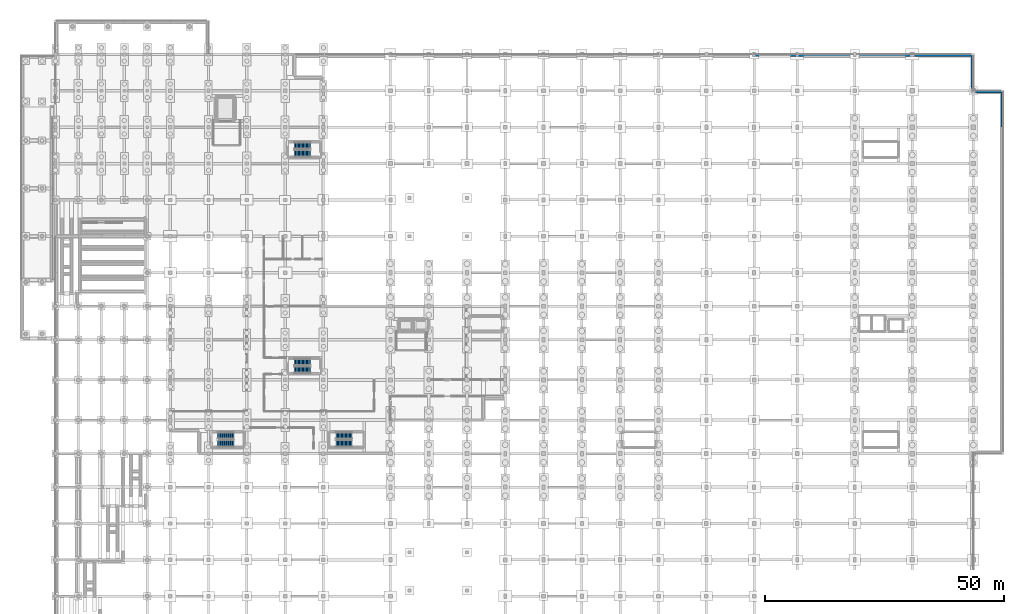
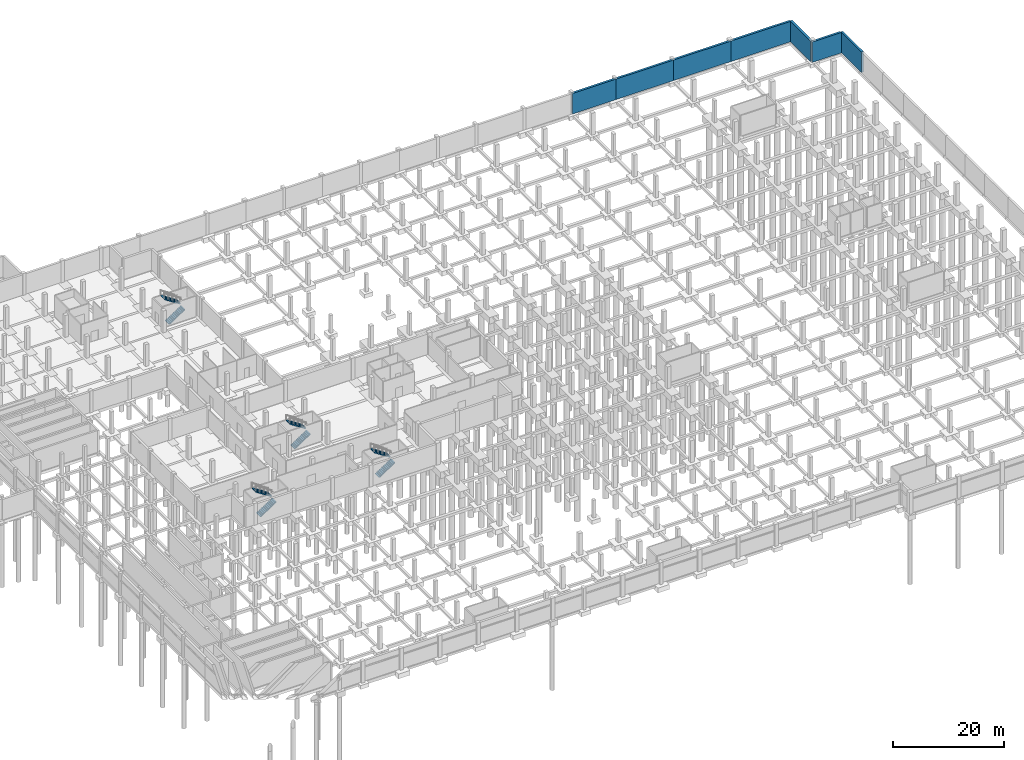
# One storey, part 39 of 50: 8 stair flights, 7 walls, 4 elements without a shape of their own.
"""IFC4 building model written with IfcOpenShell, lengths in metres."""

from ifc_helpers import new_model, si_unit, direction, frame, frame_2d, origin, place, context, subcontext, project, spatial, polyline, rectangle, outline, extrude, material, layer, layer_set, type_object, element, aggregate, save


model = new_model("IFC4")

# Units and contexts
model_context = context("Model", 3, precision=1e-05, world=origin(), true_north=direction((0.0, 1.0)))
body_context = subcontext(model_context, "Body", "Model", "MODEL_VIEW")
ifc_project = project(units=[si_unit("LENGTHUNIT", "METRE"), si_unit("AREAUNIT", "SQUARE_METRE"), si_unit("VOLUMEUNIT", "CUBIC_METRE"), si_unit("PLANEANGLEUNIT", "RADIAN"), si_unit("MASSUNIT", "GRAM", prefix="KILO")], contexts=[model_context])

# Site, building, storey
site_placement = place(None, origin())
site = spatial("IfcSite", under=ifc_project, at=site_placement, CompositionType="ELEMENT")
building_placement = place(site_placement, origin())
building = spatial("IfcBuilding", under=site, at=building_placement, Name="Vekula Escarpment Museum", CompositionType="ELEMENT")
storey_placement = place(building_placement, frame((0.0, 0.0, -4.800048828125)))
storey = spatial("IfcBuildingStorey", under=building, at=storey_placement, Name="B1", CompositionType="ELEMENT", Elevation=-4.800048828125)

# Walls
ifc_material_1 = material(Name="Inkisi arkosic sandstone masonry", Category="masonry")
ifc_layer = layer(ifc_material_1, 0.449951171875)
ifc_layer_set = layer_set([ifc_layer], Name="Inkisi arkosic sandstone masonry")
wall_type = type_object("IfcWallType", Name="WL-PLN-450", PredefinedType="SOLIDWALL", material=ifc_layer_set)
wall_1_placement = place(storey_placement, frame((197.77490234375, 120.800048828125, 0.0), z_axis=(0.0, 0.0, 1.0), x_axis=(0.0, 1.0, 0.0)))
element("IfcWall", 1, at=wall_1_placement, inside=storey, type_object=wall_type, Name="Sandstone Plinth Perimeter Wall 0043", PredefinedType="SOLIDWALL", context=body_context, shape_type="SweptSolid", body=[
    extrude(rectangle(XDim=7.375, YDim=0.449951171875, at=frame_2d((3.6875, 0.0))), origin(), (0.0, 0.0, 1.0), 4.5),
])
wall_2_placement = place(storey_placement, frame((197.5458984375, 128.175048828125, 0.0), z_axis=(0.0, 0.0, 1.0), x_axis=(-1.0, 0.0, 0.0)))
element("IfcWall", 2, at=wall_2_placement, inside=storey, type_object=wall_type, Name="Sandstone Plinth Perimeter Wall 0044", PredefinedType="SOLIDWALL", context=body_context, shape_type="SweptSolid", body=[
    extrude(rectangle(XDim=5.970947265625, YDim=0.449951171875, at=frame_2d((2.9853515625, 0.0))), origin(), (0.0, 0.0, 1.0), 4.5),
])
wall_3_placement = place(storey_placement, frame((191.574951171875, 128.404052734375, 0.0), z_axis=(0.0, 0.0, 1.0), x_axis=(0.0, 1.0, 0.0)))
element("IfcWall", 3, at=wall_3_placement, inside=storey, type_object=wall_type, Name="Sandstone Plinth Perimeter Wall 0045", PredefinedType="SOLIDWALL", context=body_context, shape_type="SweptSolid", body=[
    extrude(rectangle(XDim=7.370849609375, YDim=0.449951171875, at=frame_2d((3.685546875, 0.0))), origin(), (0.0, 0.0, 1.0), 4.5),
])
wall_4_placement = place(storey_placement, frame((191.345947265625, 135.77490234375, 0.0), z_axis=(0.0, 0.0, 1.0), x_axis=(-1.0, 0.0, 0.0)))
element("IfcWall", 4, at=wall_4_placement, inside=storey, type_object=wall_type, Name="Sandstone Plinth Perimeter Wall 0046", PredefinedType="SOLIDWALL", context=body_context, shape_type="SweptSolid", body=[
    extrude(rectangle(XDim=12.345947265625, YDim=0.449951171875, at=frame_2d((6.1728515625, 0.0))), origin(), (0.0, 0.0, 1.0), 4.5),
])
for number, where, z_axis, x_axis, name in (
    (5, (179.0, 135.77490234375, 0.0), (0.0, 0.0, 1.0), (-1.0, 0.0, 0.0), "Sandstone Plinth Perimeter Wall 0047"),
    (6, (167.0, 135.77490234375, 0.0), (0.0, 0.0, 1.0), (-1.0, 0.0, 0.0), "Sandstone Plinth Perimeter Wall 0048"),
):
    element("IfcWall", number, at=place(storey_placement, frame(where, z_axis=z_axis, x_axis=x_axis)), inside=storey, type_object=wall_type, Name=name, PredefinedType="SOLIDWALL", context=body_context, shape_type="SweptSolid", body=[
        extrude(rectangle(XDim=12.0, YDim=0.449951171875, at=frame_2d((6.0, 0.0))), origin(), (0.0, 0.0, 1.0), 4.5),
    ])
wall_5_placement = place(storey_placement, frame((155.0, 135.77490234375, 0.0), z_axis=(0.0, 0.0, 1.0), x_axis=(-1.0, 0.0, 0.0)))
element("IfcWall", 7, at=wall_5_placement, inside=storey, type_object=wall_type, Name="Sandstone Plinth Perimeter Wall 0049", PredefinedType="SOLIDWALL", context=body_context, shape_type="SweptSolid", body=[
    extrude(rectangle(XDim=9.0, YDim=0.449951171875, at=frame_2d((4.5, 0.0))), origin(), (0.0, 0.0, 1.0), 4.5),
])

# Stair, stair flights
ifc_material_2 = material(Name="Concrete C35/45", Category="concrete")
stair_type = type_object("IfcStairType", Name="STR-TYPE-142", PredefinedType="HALF_TURN_STAIR", material=ifc_material_2)
stair_1_placement = place(storey_placement, origin())
stair_1 = element("IfcStair", 8, at=stair_1_placement, inside=storey, type_object=stair_type, Name="B1 Central West Exit Stair ST-01", PredefinedType="HALF_TURN_STAIR")
ifc_material_3 = material(Name="Concrete C35/45", Category="concrete")
stair_flight_type = type_object("IfcStairFlightType", Name="FLT-TYPE-142", PredefinedType="STRAIGHT", material=ifc_material_3)
stair_flight_1_placement = place(storey_placement, frame((58.6201171875, 54.7099609375, 0.0), z_axis=(0.0, 0.0, 1.0), x_axis=(1.0, 0.0, 0.0)))
stair_flight_1 = element("IfcStairFlight", 9, at=stair_flight_1_placement, type_object=stair_flight_type, Name="ST-01 flight 1", NumberOfRisers=13, NumberOfTreads=12, PredefinedType="STRAIGHT", RiserHeight=0.184615385, TreadLength=0.28, context=body_context, shape_type="SweptSolid", body=[
    extrude(outline(polyline([(0.0, 0.0), (0.0, 0.1845703125), (0.280029296875, 0.1845703125), (0.280029296875, 0.369140625), (0.56005859375, 0.369140625), (0.56005859375, 0.553955078125), (0.840087890625, 0.553955078125), (0.840087890625, 0.738525390625), (1.1201171875, 0.738525390625), (1.1201171875, 0.923095703125), (1.39990234375, 0.923095703125), (1.39990234375, 1.107666015625), (1.679931640625, 1.107666015625), (1.679931640625, 1.292236328125), (1.9599609375, 1.292236328125), (1.9599609375, 1.476806640625), (2.239990234375, 1.476806640625), (2.239990234375, 1.66162109375), (2.52001953125, 1.66162109375), (2.52001953125, 1.84619140625), (2.800048828125, 1.84619140625), (2.800048828125, 2.03076171875), (3.080078125, 2.03076171875), (3.080078125, 2.21533203125), (3.360107421875, 2.21533203125), (3.360107421875, 2.39990234375), (3.360107421875, 2.035888671875), (0.272216796875, 0.0), (0.0, 0.0)])), frame((0.0, 0.7099609375, 0.0), z_axis=(0.0, -1.0, 0.0), x_axis=(1.0, 0.0, 0.0)), (0.0, 0.0, 1.0), 1.419921875),
])
stair_flight_2_placement = place(storey_placement, frame((61.97998046875, 56.330078125, 2.400146484375), z_axis=(0.0, 0.0, 1.0), x_axis=(-1.0, 0.0, 0.0)))
stair_flight_2 = element("IfcStairFlight", 10, at=stair_flight_2_placement, type_object=stair_flight_type, Name="ST-01 flight 2", NumberOfRisers=13, NumberOfTreads=12, PredefinedType="STRAIGHT", RiserHeight=0.184615385, TreadLength=0.28, context=body_context, shape_type="SweptSolid", body=[
    extrude(outline(polyline([(0.0, 0.0), (0.0, 0.1845703125), (0.280029296875, 0.1845703125), (0.280029296875, 0.369140625), (0.56005859375, 0.369140625), (0.56005859375, 0.553955078125), (0.840087890625, 0.553955078125), (0.840087890625, 0.738525390625), (1.1201171875, 0.738525390625), (1.1201171875, 0.923095703125), (1.39990234375, 0.923095703125), (1.39990234375, 1.107666015625), (1.679931640625, 1.107666015625), (1.679931640625, 1.292236328125), (1.9599609375, 1.292236328125), (1.9599609375, 1.476806640625), (2.239990234375, 1.476806640625), (2.239990234375, 1.66162109375), (2.52001953125, 1.66162109375), (2.52001953125, 1.84619140625), (2.800048828125, 1.84619140625), (2.800048828125, 2.03076171875), (3.080078125, 2.03076171875), (3.080078125, 2.21533203125), (3.360107421875, 2.21533203125), (3.360107421875, 2.39990234375), (3.360107421875, 2.035888671875), (0.272216796875, 0.0), (0.0, 0.0)])), frame((0.0, 0.7099609375, 0.0), z_axis=(0.0, -1.0, 0.0), x_axis=(1.0, 0.0, 0.0)), (0.0, 0.0, 1.0), 1.419921875),
])
aggregate(stair_1, [stair_flight_1, stair_flight_2])

stair_2_placement = place(storey_placement, origin())
stair_2 = element("IfcStair", 11, at=stair_2_placement, inside=storey, type_object=stair_type, Name="B1 Archive and Lab Exit Stair ST-03", PredefinedType="HALF_TURN_STAIR")
stair_flight_3_placement = place(storey_placement, frame((49.919921875, 115.31005859375, 0.0), z_axis=(0.0, 0.0, 1.0), x_axis=(1.0, 0.0, 0.0)))
stair_flight_3 = element("IfcStairFlight", 12, at=stair_flight_3_placement, type_object=stair_flight_type, Name="ST-03 flight 1", NumberOfRisers=13, NumberOfTreads=12, PredefinedType="STRAIGHT", RiserHeight=0.184615385, TreadLength=0.28, context=body_context, shape_type="SweptSolid", body=[
    extrude(outline(polyline([(0.0, 0.0), (0.0, 0.1845703125), (0.280029296875, 0.1845703125), (0.280029296875, 0.369140625), (0.56005859375, 0.369140625), (0.56005859375, 0.553955078125), (0.840087890625, 0.553955078125), (0.840087890625, 0.738525390625), (1.1201171875, 0.738525390625), (1.1201171875, 0.923095703125), (1.39990234375, 0.923095703125), (1.39990234375, 1.107666015625), (1.679931640625, 1.107666015625), (1.679931640625, 1.292236328125), (1.9599609375, 1.292236328125), (1.9599609375, 1.476806640625), (2.239990234375, 1.476806640625), (2.239990234375, 1.66162109375), (2.52001953125, 1.66162109375), (2.52001953125, 1.84619140625), (2.800048828125, 1.84619140625), (2.800048828125, 2.03076171875), (3.080078125, 2.03076171875), (3.080078125, 2.21533203125), (3.360107421875, 2.21533203125), (3.360107421875, 2.39990234375), (3.360107421875, 2.035888671875), (0.272216796875, 0.0), (0.0, 0.0)])), frame((0.0, 0.7099609375, 0.0), z_axis=(0.0, -1.0, 0.0), x_axis=(1.0, 0.0, 0.0)), (0.0, 0.0, 1.0), 1.419921875),
])
stair_flight_4_placement = place(storey_placement, frame((53.280029296875, 116.929931640625, 2.400146484375), z_axis=(0.0, 0.0, 1.0), x_axis=(-1.0, 0.0, 0.0)))
stair_flight_4 = element("IfcStairFlight", 13, at=stair_flight_4_placement, type_object=stair_flight_type, Name="ST-03 flight 2", NumberOfRisers=13, NumberOfTreads=12, PredefinedType="STRAIGHT", RiserHeight=0.184615385, TreadLength=0.28, context=body_context, shape_type="SweptSolid", body=[
    extrude(outline(polyline([(0.0, 0.0), (0.0, 0.1845703125), (0.280029296875, 0.1845703125), (0.280029296875, 0.369140625), (0.56005859375, 0.369140625), (0.56005859375, 0.553955078125), (0.840087890625, 0.553955078125), (0.840087890625, 0.738525390625), (1.1201171875, 0.738525390625), (1.1201171875, 0.923095703125), (1.39990234375, 0.923095703125), (1.39990234375, 1.107666015625), (1.679931640625, 1.107666015625), (1.679931640625, 1.292236328125), (1.9599609375, 1.292236328125), (1.9599609375, 1.476806640625), (2.239990234375, 1.476806640625), (2.239990234375, 1.66162109375), (2.52001953125, 1.66162109375), (2.52001953125, 1.84619140625), (2.800048828125, 1.84619140625), (2.800048828125, 2.03076171875), (3.080078125, 2.03076171875), (3.080078125, 2.21533203125), (3.360107421875, 2.21533203125), (3.360107421875, 2.39990234375), (3.360107421875, 2.035888671875), (0.272216796875, 0.0), (0.0, 0.0)])), frame((0.0, 0.7099609375, 0.0), z_axis=(0.0, -1.0, 0.0), x_axis=(1.0, 0.0, 0.0)), (0.0, 0.0, 1.0), 1.419921875),
])
aggregate(stair_2, [stair_flight_3, stair_flight_4])

stair_3_placement = place(storey_placement, origin())
stair_3 = element("IfcStair", 14, at=stair_3_placement, inside=storey, type_object=stair_type, Name="B1 Plinth West Exit Stair ST-04", PredefinedType="HALF_TURN_STAIR")
stair_flight_5_placement = place(storey_placement, frame((33.919921875, 54.7099609375, 0.0), z_axis=(0.0, 0.0, 1.0), x_axis=(1.0, 0.0, 0.0)))
stair_flight_5 = element("IfcStairFlight", 15, at=stair_flight_5_placement, type_object=stair_flight_type, Name="ST-04 flight 1", NumberOfRisers=13, NumberOfTreads=12, PredefinedType="STRAIGHT", RiserHeight=0.184615385, TreadLength=0.28, context=body_context, shape_type="SweptSolid", body=[
    extrude(outline(polyline([(0.0, 0.0), (0.0, 0.1845703125), (0.280029296875, 0.1845703125), (0.280029296875, 0.369140625), (0.56005859375, 0.369140625), (0.56005859375, 0.553955078125), (0.840087890625, 0.553955078125), (0.840087890625, 0.738525390625), (1.1201171875, 0.738525390625), (1.1201171875, 0.923095703125), (1.39990234375, 0.923095703125), (1.39990234375, 1.107666015625), (1.679931640625, 1.107666015625), (1.679931640625, 1.292236328125), (1.9599609375, 1.292236328125), (1.9599609375, 1.476806640625), (2.239990234375, 1.476806640625), (2.239990234375, 1.66162109375), (2.52001953125, 1.66162109375), (2.52001953125, 1.84619140625), (2.800048828125, 1.84619140625), (2.800048828125, 2.03076171875), (3.080078125, 2.03076171875), (3.080078125, 2.21533203125), (3.360107421875, 2.21533203125), (3.360107421875, 2.39990234375), (3.360107421875, 2.035888671875), (0.272216796875, 0.0), (0.0, 0.0)])), frame((0.0, 0.7099609375, 0.0), z_axis=(0.0, -1.0, 0.0), x_axis=(1.0, 0.0, 0.0)), (0.0, 0.0, 1.0), 1.419921875),
])
stair_flight_6_placement = place(storey_placement, frame((37.280029296875, 56.330078125, 2.400146484375), z_axis=(0.0, 0.0, 1.0), x_axis=(-1.0, 0.0, 0.0)))
stair_flight_6 = element("IfcStairFlight", 16, at=stair_flight_6_placement, type_object=stair_flight_type, Name="ST-04 flight 2", NumberOfRisers=13, NumberOfTreads=12, PredefinedType="STRAIGHT", RiserHeight=0.184615385, TreadLength=0.28, context=body_context, shape_type="SweptSolid", body=[
    extrude(outline(polyline([(0.0, 0.0), (0.0, 0.1845703125), (0.280029296875, 0.1845703125), (0.280029296875, 0.369140625), (0.56005859375, 0.369140625), (0.56005859375, 0.553955078125), (0.840087890625, 0.553955078125), (0.840087890625, 0.738525390625), (1.1201171875, 0.738525390625), (1.1201171875, 0.923095703125), (1.39990234375, 0.923095703125), (1.39990234375, 1.107666015625), (1.679931640625, 1.107666015625), (1.679931640625, 1.292236328125), (1.9599609375, 1.292236328125), (1.9599609375, 1.476806640625), (2.239990234375, 1.476806640625), (2.239990234375, 1.66162109375), (2.52001953125, 1.66162109375), (2.52001953125, 1.84619140625), (2.800048828125, 1.84619140625), (2.800048828125, 2.03076171875), (3.080078125, 2.03076171875), (3.080078125, 2.21533203125), (3.360107421875, 2.21533203125), (3.360107421875, 2.39990234375), (3.360107421875, 2.035888671875), (0.272216796875, 0.0), (0.0, 0.0)])), frame((0.0, 0.7099609375, 0.0), z_axis=(0.0, -1.0, 0.0), x_axis=(1.0, 0.0, 0.0)), (0.0, 0.0, 1.0), 1.419921875),
])
aggregate(stair_3, [stair_flight_5, stair_flight_6])

stair_4_placement = place(storey_placement, origin())
stair_4 = element("IfcStair", 17, at=stair_4_placement, inside=storey, type_object=stair_type, Name="B1 Plinth Mid Exit Stair ST-10", PredefinedType="HALF_TURN_STAIR")
stair_flight_7_placement = place(storey_placement, frame((49.919921875, 70.110107421875, 0.0), z_axis=(0.0, 0.0, 1.0), x_axis=(1.0, 0.0, 0.0)))
stair_flight_7 = element("IfcStairFlight", 18, at=stair_flight_7_placement, type_object=stair_flight_type, Name="ST-10 flight 1", NumberOfRisers=13, NumberOfTreads=12, PredefinedType="STRAIGHT", RiserHeight=0.184615385, TreadLength=0.28, context=body_context, shape_type="SweptSolid", body=[
    extrude(outline(polyline([(0.0, 0.0), (0.0, 0.1845703125), (0.280029296875, 0.1845703125), (0.280029296875, 0.369140625), (0.56005859375, 0.369140625), (0.56005859375, 0.553955078125), (0.840087890625, 0.553955078125), (0.840087890625, 0.738525390625), (1.1201171875, 0.738525390625), (1.1201171875, 0.923095703125), (1.39990234375, 0.923095703125), (1.39990234375, 1.107666015625), (1.679931640625, 1.107666015625), (1.679931640625, 1.292236328125), (1.9599609375, 1.292236328125), (1.9599609375, 1.476806640625), (2.239990234375, 1.476806640625), (2.239990234375, 1.66162109375), (2.52001953125, 1.66162109375), (2.52001953125, 1.84619140625), (2.800048828125, 1.84619140625), (2.800048828125, 2.03076171875), (3.080078125, 2.03076171875), (3.080078125, 2.21533203125), (3.360107421875, 2.21533203125), (3.360107421875, 2.39990234375), (3.360107421875, 2.035888671875), (0.272216796875, 0.0), (0.0, 0.0)])), frame((0.0, 0.7099609375, 0.0), z_axis=(0.0, -1.0, 0.0), x_axis=(1.0, 0.0, 0.0)), (0.0, 0.0, 1.0), 1.419921875),
])
stair_flight_8_placement = place(storey_placement, frame((53.280029296875, 71.72998046875, 2.400146484375), z_axis=(0.0, 0.0, 1.0), x_axis=(-1.0, 0.0, 0.0)))
stair_flight_8 = element("IfcStairFlight", 19, at=stair_flight_8_placement, type_object=stair_flight_type, Name="ST-10 flight 2", NumberOfRisers=13, NumberOfTreads=12, PredefinedType="STRAIGHT", RiserHeight=0.184615385, TreadLength=0.28, context=body_context, shape_type="SweptSolid", body=[
    extrude(outline(polyline([(0.0, 0.0), (0.0, 0.1845703125), (0.280029296875, 0.1845703125), (0.280029296875, 0.369140625), (0.56005859375, 0.369140625), (0.56005859375, 0.553955078125), (0.840087890625, 0.553955078125), (0.840087890625, 0.738525390625), (1.1201171875, 0.738525390625), (1.1201171875, 0.923095703125), (1.39990234375, 0.923095703125), (1.39990234375, 1.107666015625), (1.679931640625, 1.107666015625), (1.679931640625, 1.292236328125), (1.9599609375, 1.292236328125), (1.9599609375, 1.476806640625), (2.239990234375, 1.476806640625), (2.239990234375, 1.66162109375), (2.52001953125, 1.66162109375), (2.52001953125, 1.84619140625), (2.800048828125, 1.84619140625), (2.800048828125, 2.03076171875), (3.080078125, 2.03076171875), (3.080078125, 2.21533203125), (3.360107421875, 2.21533203125), (3.360107421875, 2.39990234375), (3.360107421875, 2.035888671875), (0.272216796875, 0.0), (0.0, 0.0)])), frame((0.0, 0.7099609375, 0.0), z_axis=(0.0, -1.0, 0.0), x_axis=(1.0, 0.0, 0.0)), (0.0, 0.0, 1.0), 1.419921875),
])
aggregate(stair_4, [stair_flight_7, stair_flight_8])

save(model, "model.ifc")
